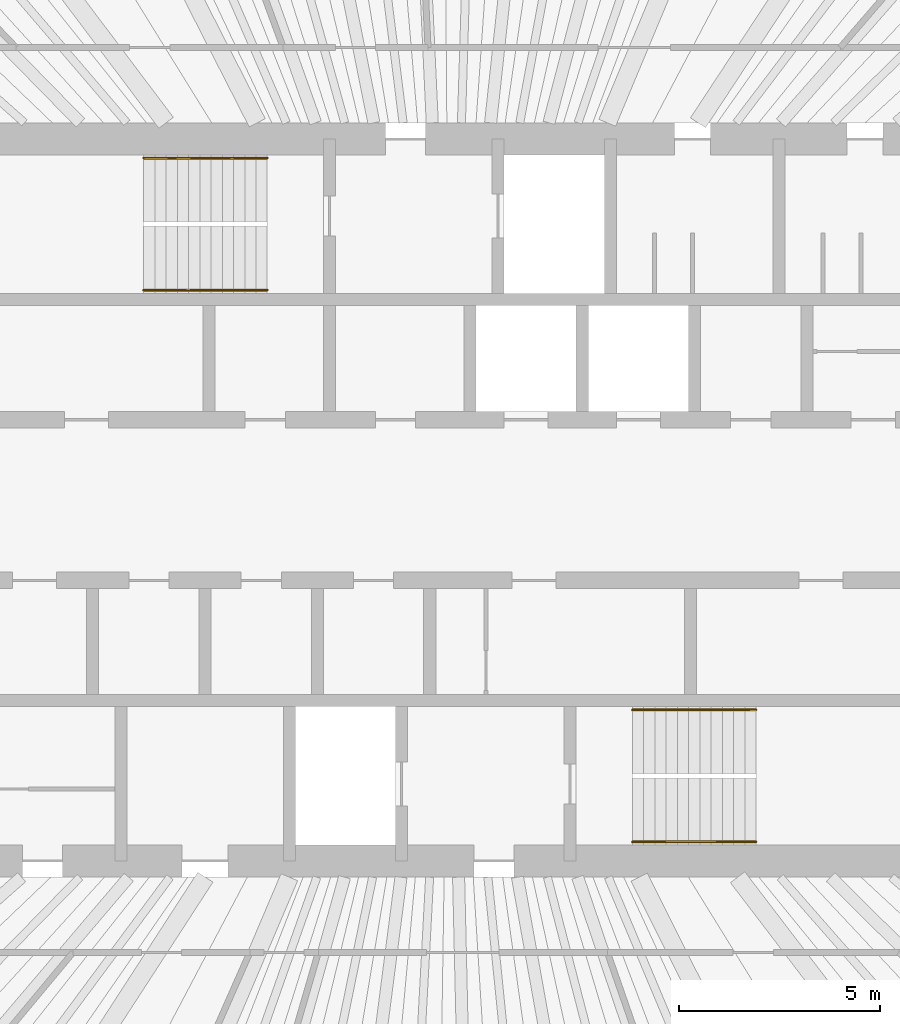
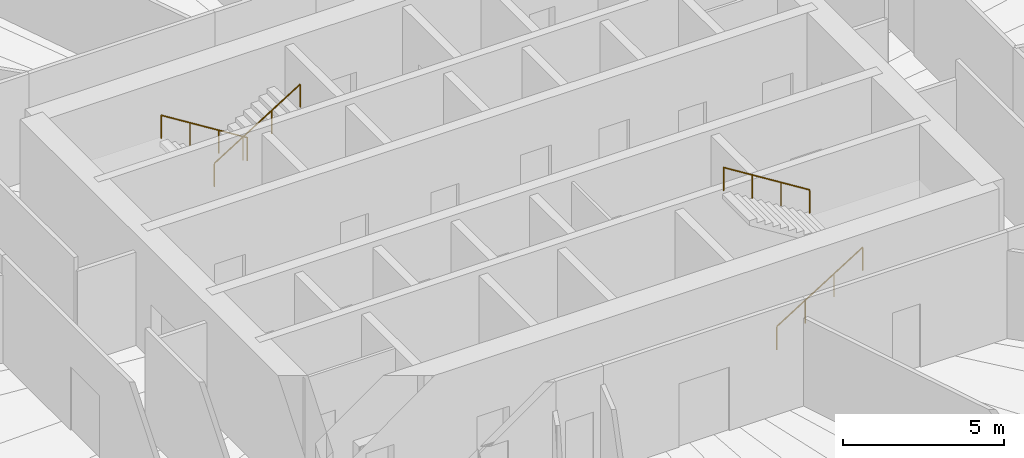
# One storey, part 14 of 14: 4 railings.
"""IFC4 building model written with IfcOpenShell, lengths in metres."""

import ifcopenshell
import ifcopenshell.guid

model = None  # the IFC model being written
_history = None  # IfcOwnerHistory: only IFC2X3 demands one
_inside = {}  # id of a spatial element -> (the spatial element, [elements in it])
_under = {}  # id of a project, library or spatial element -> (it, [spatial elements below it])
_declared = {}  # id of a project -> (the project, [libraries it declares])
_typed = {}  # id of a type object -> (the type object, [elements of that type])
_made_of = {}  # id of a material, layer set ... -> (it, [elements and type objects made of it])


def new_model(schema):
    """Start an empty IFC model of exactly this schema.

    Asked for "IFC4X3", IfcOpenShell would pick the latest addendum, in which some entities
    have other attributes; the version numbers below select the first issue.
    IFC2X3 requires an IfcOwnerHistory on every rooted entity: one is made here for all.
    """
    global model, _history
    if schema == "IFC4X3":
        model = ifcopenshell.file(schema_version=(4, 3, 0, 0))
    else:
        model = ifcopenshell.file(schema=schema)
    _inside.clear()
    _under.clear()
    _declared.clear()
    _typed.clear()
    _made_of.clear()
    _history = None
    if model.schema == "IFC2X3":
        org = make("IfcOrganization", Name="unknown")
        user = make(
            "IfcPersonAndOrganization",
            ThePerson=make("IfcPerson", FamilyName="unknown"),
            TheOrganization=org,
        )
        app = make(
            "IfcApplication",
            ApplicationDeveloper=org,
            Version="unknown",
            ApplicationFullName="unknown",
            ApplicationIdentifier="unknown",
        )
        _history = make(
            "IfcOwnerHistory",
            OwningUser=user,
            OwningApplication=app,
            ChangeAction="ADDED",
            CreationDate=0,
        )
    return model


def make(cls, **values):
    """One entity of the class cls with the attributes given. An attribute that is None is left unset."""
    return model.create_entity(
        cls, **{name: value for name, value in values.items() if value is not None}
    )


def rooted(cls, **values):
    """An entity with a GlobalId (a new one), such as an element, a storey or a relation."""
    return make(cls, GlobalId=ifcopenshell.guid.new(), OwnerHistory=_history, **values)


def si_unit(unit_type, name, prefix=None):
    """IfcSIUnit, for example si_unit("LENGTHUNIT", "METRE", prefix="MILLI")."""
    return make("IfcSIUnit", UnitType=unit_type, Prefix=prefix, Name=name)


def assignment(units):
    """IfcUnitAssignment: the units of a project."""
    return None if units is None else make("IfcUnitAssignment", Units=units)


def point(xyz):
    """IfcCartesianPoint."""
    return None if xyz is None else make("IfcCartesianPoint", Coordinates=xyz)


def direction(xyz):
    """IfcDirection."""
    return None if xyz is None else make("IfcDirection", DirectionRatios=xyz)


def frame(location, z_axis=None, x_axis=None):
    """IfcAxis2Placement3D, a coordinate frame: its origin and axes. An axis left out is left unset."""
    return make(
        "IfcAxis2Placement3D",
        Location=point(location),
        Axis=direction(z_axis),
        RefDirection=direction(x_axis),
    )


def frame_2d(location, x_axis=None):
    """IfcAxis2Placement2D, a coordinate frame in the plane: its origin and x axis."""
    return make(
        "IfcAxis2Placement2D", Location=point(location), RefDirection=direction(x_axis)
    )


def origin():
    """The frame at (0, 0, 0) with its axes left unset."""
    return frame((0.0, 0.0, 0.0))


def origin_2d():
    """The frame at (0, 0) in the plane with its x axis left unset."""
    return frame_2d((0.0, 0.0))


def place(relative_to, where):
    """IfcLocalPlacement: puts the frame where relative to a parent placement (None: the world)."""
    return make(
        "IfcLocalPlacement", PlacementRelTo=relative_to, RelativePlacement=where
    )


def context(
    kind, dimensions, precision=None, world=None, true_north=None, identifier=None
):
    """IfcGeometricRepresentationContext, for example the 3D "Model" context."""
    return make(
        "IfcGeometricRepresentationContext",
        ContextIdentifier=identifier,
        ContextType=kind,
        CoordinateSpaceDimension=dimensions,
        Precision=precision,
        WorldCoordinateSystem=world,
        TrueNorth=true_north,
    )


def subcontext(parent, identifier, kind, view, scale=None):
    """IfcGeometricRepresentationSubContext, for example "Body" below "Model"."""
    return make(
        "IfcGeometricRepresentationSubContext",
        ContextIdentifier=identifier,
        ContextType=kind,
        ParentContext=parent,
        TargetScale=scale,
        TargetView=view,
    )


def project(units=None, contexts=None):
    """IfcProject with its units and contexts."""
    return rooted(
        "IfcProject",
        Name="project",
        RepresentationContexts=contexts,
        UnitsInContext=assignment(units),
    )


def spatial(cls, under=None, at=None, **own):
    """A site, building, storey or space (cls), placed at a placement, below another one or the project."""
    s = rooted(cls, ObjectPlacement=at, **own)
    if under is not None:
        _under.setdefault(under.id(), (under, []))[1].append(s)
    return s


def profile(cls, at=None, kind="AREA", **sizes):
    """A parametric profile (cls). Its sizes go by their IFC names, for example OverallWidth=200.0."""
    return make(cls, ProfileType=kind, Position=at, **sizes)


def circle(**sizes):
    """IfcCircleProfileDef."""
    return profile("IfcCircleProfileDef", **sizes)


def extrude(swept, where, along, depth):
    """IfcExtrudedAreaSolid: the profile swept, set in the frame where, extruded along a direction by depth."""
    return make(
        "IfcExtrudedAreaSolid",
        SweptArea=swept,
        Position=where,
        ExtrudedDirection=direction(along),
        Depth=depth,
    )


def shape(context_of_items, identifier, shape_type, items):
    """IfcShapeRepresentation: the items that make up one representation, for example the "Body"."""
    return make(
        "IfcShapeRepresentation",
        ContextOfItems=context_of_items,
        RepresentationIdentifier=identifier,
        RepresentationType=shape_type,
        Items=items,
    )


def material(Name=None, Category=None):
    """IfcMaterial."""
    return make("IfcMaterial", Name=Name, Category=Category)


def made_of(thing, what):
    """Note that an element or type object is made of a material, layer set ...; save() writes the relation."""
    if what is not None:
        _made_of.setdefault(what.id(), (what, []))[1].append(thing)
    return thing


def type_object(cls, material=None, **own):
    """A type object (cls), such as IfcWallType, which elements share."""
    return made_of(rooted(cls, **own), material)


def element(
    cls,
    number,
    at=None,
    inside=None,
    cuts=None,
    type_object=None,
    material=None,
    context=None,
    identifier="Body",
    shape_type=None,
    held_by="IfcProductDefinitionShape",
    body=None,
    shapes=None,
    **own,
):
    """One element of the class cls, such as IfcWall. Its Tag is "e" and its number.

    at: its placement. inside: the storey or other place that contains it. cuts: it is an
    opening in that element (IfcRelVoidsElement). A single representation is given by context,
    identifier, shape_type and body (its items); several are given by shapes. held_by: the class
    of the entity that holds the representations. save() writes the other relations.
    """
    e = rooted(cls, Tag="e%d" % number, ObjectPlacement=at, **own)
    if body is not None:
        shapes = [shape(context, identifier, shape_type, body)]
    if shapes is not None:
        e.Representation = make(held_by, Representations=shapes)
    if inside is not None:
        _inside.setdefault(inside.id(), (inside, []))[1].append(e)
    if cuts is not None:
        rooted(
            "IfcRelVoidsElement", RelatingBuildingElement=cuts, RelatedOpeningElement=e
        )
    if type_object is not None:
        _typed.setdefault(type_object.id(), (type_object, []))[1].append(e)
    return made_of(e, material)


def aggregate(whole, parts):
    """IfcRelAggregates: a whole, such as a stair, and the parts it consists of."""
    return rooted("IfcRelAggregates", RelatingObject=whole, RelatedObjects=parts)


def save(model, path):
    """Write the relations noted so far, then the file.

    IfcRelAggregates (storeys below a building ...), IfcRelContainedInSpatialStructure (elements
    in a storey), IfcRelDefinesByType, IfcRelAssociatesMaterial and IfcRelDeclares: one each for
    every whole, place, type object, material and project.
    """
    for whole, parts in _under.values():
        aggregate(whole, parts)
    for where, things in _inside.values():
        rooted(
            "IfcRelContainedInSpatialStructure",
            RelatedElements=things,
            RelatingStructure=where,
        )
    for kind, things in _typed.values():
        rooted("IfcRelDefinesByType", RelatedObjects=things, RelatingType=kind)
    for what, things in _made_of.values():
        rooted("IfcRelAssociatesMaterial", RelatedObjects=things, RelatingMaterial=what)
    for by, libraries in _declared.values():
        rooted("IfcRelDeclares", RelatingContext=by, RelatedDefinitions=libraries)
    model.write(path)


model = new_model("IFC4")

# Units and contexts
model_context = context("Model", 3, precision=1e-05, world=origin(), true_north=direction((0.0, 1.0)))
body_context = subcontext(model_context, "Body", "Model", "MODEL_VIEW")
ifc_project = project(units=[si_unit("LENGTHUNIT", "METRE"), si_unit("AREAUNIT", "SQUARE_METRE"), si_unit("VOLUMEUNIT", "CUBIC_METRE"), si_unit("PLANEANGLEUNIT", "RADIAN"), si_unit("MASSUNIT", "GRAM", prefix="KILO")], contexts=[model_context])

# Site, building, storey
site_placement = place(None, origin())
site = spatial("IfcSite", under=ifc_project, at=site_placement, CompositionType="ELEMENT")
building_placement = place(site_placement, origin())
building = spatial("IfcBuilding", under=site, at=building_placement, Name="Qingtian Harvest Tower", CompositionType="ELEMENT")
storey_placement = place(building_placement, frame((0.0, 0.0, 308.199951171875)))
storey = spatial("IfcBuildingStorey", under=building, at=storey_placement, Name="L68", CompositionType="ELEMENT", Elevation=308.199951171875)

# Railings
ifc_material = material(Name="Stainless steel handrail", Category="steel")
railing_type = type_object("IfcRailingType", Name="Handrail HR1", PredefinedType="HANDRAIL", material=ifc_material)
railing_1_placement = place(storey_placement, frame((-4.550048828125, 8.52001953125, 0.175048828125)))
element("IfcRailing", 1, at=railing_1_placement, inside=storey, type_object=railing_type, Name="Handrail HR1 S1 flight 1", PredefinedType="HANDRAIL", context=body_context, shape_type="SweptSolid", body=[
    extrude(circle(Radius=0.02392578125, at=origin_2d()), frame((0.0, 0.0, 0.8759765625), z_axis=(-0.847979421464, 0.0, 0.530029150871), x_axis=(0.0, -1.0, 0.0)), (0.0, 0.0, 1.0), 3.632080078125),
    extrude(circle(Radius=0.02099609375, at=origin_2d()), origin(), (0.0, 0.0, 1.0), 0.851806640625),
    extrude(circle(Radius=0.02099609375, at=origin_2d()), frame((-1.026611328125, 0.0, 0.6416015625)), (0.0, 0.0, 1.0), 0.851806640625),
    extrude(circle(Radius=0.02099609375, at=origin_2d()), frame((-2.05322265625, 0.0, 1.283447265625)), (0.0, 0.0, 1.0), 0.851806640625),
    extrude(circle(Radius=0.02099609375, at=origin_2d()), frame((-3.079833984375, 0.0, 1.925048828125)), (0.0, 0.0, 1.0), 0.851806640625),
])
railing_2_placement = place(storey_placement, frame((-7.6298828125, 5.22998046875, 2.275146484375)))
element("IfcRailing", 2, at=railing_2_placement, inside=storey, type_object=railing_type, Name="Handrail HR1 S1 flight 2", PredefinedType="HANDRAIL", context=body_context, shape_type="SweptSolid", body=[
    extrude(circle(Radius=0.02392578125, at=origin_2d()), frame((0.0, 0.0, 0.8759765625), z_axis=(0.848009633417, 0.0, 0.529980812513), x_axis=(0.0, 1.0, 0.0)), (0.0, 0.0, 1.0), 3.6318359375),
    extrude(circle(Radius=0.02099609375, at=origin_2d()), origin(), (0.0, 0.0, 1.0), 0.851806640625),
    extrude(circle(Radius=0.02099609375, at=origin_2d()), frame((1.026611328125, 0.0, 0.6416015625)), (0.0, 0.0, 1.0), 0.851806640625),
    extrude(circle(Radius=0.02099609375, at=origin_2d()), frame((2.05322265625, 0.0, 1.283203125)), (0.0, 0.0, 1.0), 0.851806640625),
    extrude(circle(Radius=0.02099609375, at=origin_2d()), frame((3.079833984375, 0.0, 1.9248046875)), (0.0, 0.0, 1.0), 0.851806640625),
])
railing_3_placement = place(storey_placement, frame((4.550048828125, -8.52001953125, 0.175048828125)))
element("IfcRailing", 3, at=railing_3_placement, inside=storey, type_object=railing_type, Name="Handrail HR1 S2 flight 1", PredefinedType="HANDRAIL", context=body_context, shape_type="SweptSolid", body=[
    extrude(circle(Radius=0.02392578125, at=origin_2d()), frame((0.0, 0.0, 0.8759765625), z_axis=(0.847979421464, 0.0, 0.530029150871), x_axis=(0.0, 1.0, 0.0)), (0.0, 0.0, 1.0), 3.632080078125),
    extrude(circle(Radius=0.02099609375, at=origin_2d()), origin(), (0.0, 0.0, 1.0), 0.851806640625),
    extrude(circle(Radius=0.02099609375, at=origin_2d()), frame((1.026611328125, 0.0, 0.6416015625)), (0.0, 0.0, 1.0), 0.851806640625),
    extrude(circle(Radius=0.02099609375, at=origin_2d()), frame((2.05322265625, 0.0, 1.283447265625)), (0.0, 0.0, 1.0), 0.851806640625),
    extrude(circle(Radius=0.02099609375, at=origin_2d()), frame((3.079833984375, 0.0, 1.925048828125)), (0.0, 0.0, 1.0), 0.851806640625),
])
railing_4_placement = place(storey_placement, frame((7.6298828125, -5.22998046875, 2.275146484375)))
element("IfcRailing", 4, at=railing_4_placement, inside=storey, type_object=railing_type, Name="Handrail HR1 S2 flight 2", PredefinedType="HANDRAIL", context=body_context, shape_type="SweptSolid", body=[
    extrude(circle(Radius=0.02392578125, at=origin_2d()), frame((0.0, 0.0, 0.8759765625), z_axis=(-0.848009633417, 0.0, 0.529980812513), x_axis=(0.0, -1.0, 0.0)), (0.0, 0.0, 1.0), 3.6318359375),
    extrude(circle(Radius=0.02099609375, at=origin_2d()), origin(), (0.0, 0.0, 1.0), 0.851806640625),
    extrude(circle(Radius=0.02099609375, at=origin_2d()), frame((-1.026611328125, 0.0, 0.6416015625)), (0.0, 0.0, 1.0), 0.851806640625),
    extrude(circle(Radius=0.02099609375, at=origin_2d()), frame((-2.05322265625, 0.0, 1.283203125)), (0.0, 0.0, 1.0), 0.851806640625),
    extrude(circle(Radius=0.02099609375, at=origin_2d()), frame((-3.079833984375, 0.0, 1.9248046875)), (0.0, 0.0, 1.0), 0.851806640625),
])

save(model, "model.ifc")
